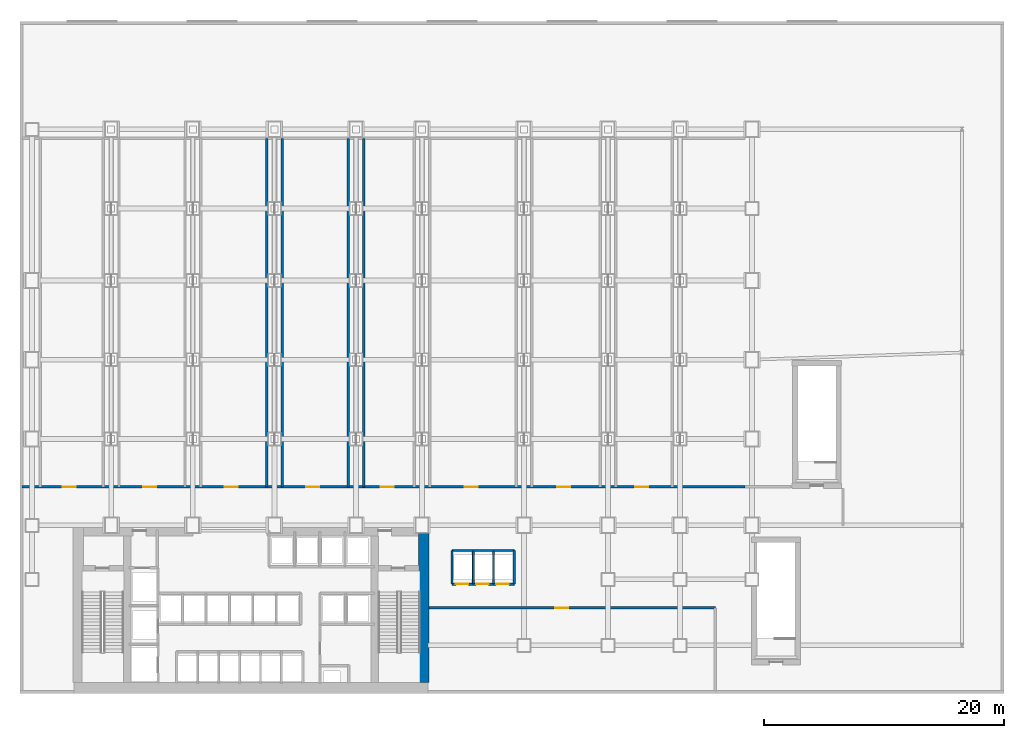
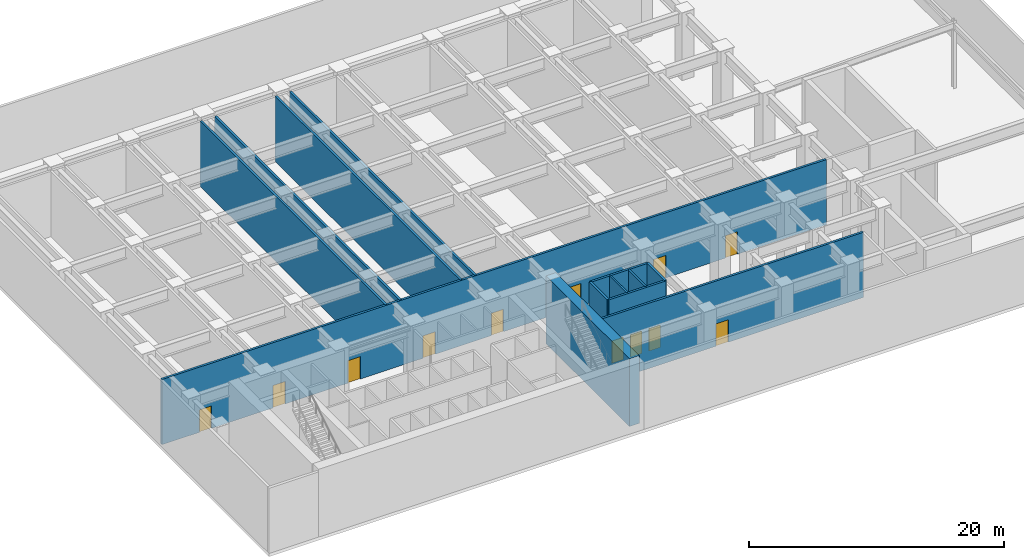
# One storey, part 10 of 15: 13 walls, 12 doors, 12 openings.
"""IFC4 building model written with IfcOpenShell, lengths in metres."""

from ifc_helpers import new_model, si_unit, derived_unit, direction, frame, frame_2d, origin, place, context, subcontext, project, spatial, rectangle, extrude, source, transform, mapped, material, layer, layer_set, type_object, element, fill, save


model = new_model("IFC4")

# Units and contexts
model_context = context("Model", 3, precision=1e-05, world=origin(), true_north=direction((0.0, 1.0)))
body_context = subcontext(model_context, "Body", "Model", "MODEL_VIEW")
ifc_project = project(units=[si_unit("LENGTHUNIT", "METRE"), si_unit("AREAUNIT", "SQUARE_METRE"), si_unit("VOLUMEUNIT", "CUBIC_METRE"), si_unit("PLANEANGLEUNIT", "RADIAN"), si_unit("MASSUNIT", "GRAM", prefix="KILO"), derived_unit("THERMALTRANSMITTANCEUNIT", [(si_unit("POWERUNIT", "WATT"), 1), (si_unit("LENGTHUNIT", "METRE"), -2), (si_unit("THERMODYNAMICTEMPERATUREUNIT", "KELVIN"), -1)])], contexts=[model_context])

# Site, building, storey
site_placement = place(None, origin())
site = spatial("IfcSite", under=ifc_project, at=site_placement, CompositionType="ELEMENT")
building_placement = place(site_placement, origin())
building = spatial("IfcBuilding", under=site, at=building_placement, Name="Skarnbrae Concourse Arena and Tower", CompositionType="ELEMENT")
storey_placement = place(building_placement, frame((0.0, 0.0, 26.0)))
storey = spatial("IfcBuildingStorey", under=building, at=storey_placement, Name="L05", CompositionType="ELEMENT", Elevation=26.0)

# Wall
ifc_material_1 = material(Name="Concrete 70 MPa (C70/85)", Category="concrete")
ifc_layer_1 = layer(ifc_material_1, 0.89990234375)
ifc_layer_set_1 = layer_set([ifc_layer_1], Name="Concrete 70 MPa (C70/85)")
wall_type_1 = type_object("IfcWallType", Name="WALL-CORE-900-C70", PredefinedType="SHEAR", material=ifc_layer_set_1)
shared_shape_1 = source(origin(), body_context, "Body", "SweptSolid", [
    extrude(rectangle(XDim=13.10009765625, YDim=0.89990234375, at=frame_2d((6.550048828125, 0.0))), origin(), (0.0, 0.0, 1.0), 6.5),
])
wall_1_placement = place(storey_placement, frame((33.64990234375, 0.89990234375, 0.0), z_axis=(0.0, 0.0, 1.0), x_axis=(0.0, 1.0, 0.0)))
element("IfcWall", 1, at=wall_1_placement, inside=storey, type_object=wall_type_1, Name="L05 Rear core shear wall CW-E", PredefinedType="SHEAR", context=body_context, shape_type="MappedRepresentation", body=[
    mapped(shared_shape_1, transform((0.0, 0.0, 0.0))),
])

# Wall, openings, doors
ifc_material_2 = material(Name="Gypsum board on cold-formed steel studs", Category="steel")
ifc_layer_2 = layer(ifc_material_2, 0.199951171875)
ifc_layer_set_2 = layer_set([ifc_layer_2], Name="Gypsum board on cold-formed steel studs")
wall_type_2 = type_object("IfcWallType", Name="WALL-PART-200-2HR", PredefinedType="PARTITIONING", material=ifc_layer_set_2)
shared_shape_2 = source(origin(), body_context, "Body", "SweptSolid", [
    extrude(rectangle(XDim=5.199951171875, YDim=0.199951171875, at=frame_2d((2.60009765625, 0.0))), origin(), (0.0, 0.0, 1.0), 6.25),
])
wall_2_placement = place(storey_placement, frame((36.0, 9.10009765625, 0.0), z_axis=(0.0, 0.0, 1.0), x_axis=(1.0, 0.0, 0.0)))
wall_2 = element("IfcWall", 2, at=wall_2_placement, inside=storey, type_object=wall_type_2, Name="L05 Interior partition wall W-L05-PLP-S", PredefinedType="PARTITIONING", context=body_context, shape_type="MappedRepresentation", body=[
    mapped(shared_shape_2, transform((0.0, 0.0, 0.0))),
])
opening_1_placement = place(wall_2_placement, frame((0.320068359375, 0.0, 0.0)))
opening_1 = element("IfcOpeningElement", 3, at=opening_1_placement, cuts=wall_2, Name="Opening LD-03", PredefinedType="OPENING", context=body_context, shape_type="SweptSolid", body=[
    extrude(rectangle(XDim=1.050048828125, YDim=2.14990234375, at=frame_2d((0.52490234375, 1.074951171875))), frame((0.0, 0.10986328125, 0.0), z_axis=(0.0, -1.0, 0.0), x_axis=(1.0, 0.0, 0.0)), (0.0, 0.0, 1.0), 0.219970703125),
])
opening_2_placement = place(wall_2_placement, frame((2.0, 0.0, 0.0)))
opening_2 = element("IfcOpeningElement", 4, at=opening_2_placement, cuts=wall_2, Name="Opening LD-03", PredefinedType="OPENING", context=body_context, shape_type="SweptSolid", body=[
    extrude(rectangle(XDim=1.050048828125, YDim=2.14990234375, at=frame_2d((0.52490234375, 1.074951171875))), frame((0.0, 0.10986328125, 0.0), z_axis=(0.0, -1.0, 0.0), x_axis=(1.0, 0.0, 0.0)), (0.0, 0.0, 1.0), 0.219970703125),
])
opening_3_placement = place(wall_2_placement, frame((3.679931640625, 0.0, 0.0)))
opening_3 = element("IfcOpeningElement", 5, at=opening_3_placement, cuts=wall_2, Name="Opening LD-03", PredefinedType="OPENING", context=body_context, shape_type="SweptSolid", body=[
    extrude(rectangle(XDim=1.050048828125, YDim=2.14990234375, at=frame_2d((0.52490234375, 1.074951171875))), frame((0.0, 0.10986328125, 0.0), z_axis=(0.0, -1.0, 0.0), x_axis=(1.0, 0.0, 0.0)), (0.0, 0.0, 1.0), 0.219970703125),
])
ifc_material_3 = material(Name="Bronze anodised aluminium 6063-T6", Category="aluminium")
door_type_1 = type_object("IfcDoorType", Name="DOOR-LIFT-SLIDE-1050", OperationType="SLIDING_TO_LEFT", PredefinedType="DOOR", material=ifc_material_3)
shared_shape_3 = source(origin(), body_context, "Body", "SweptSolid", [
    extrude(rectangle(XDim=1.050048828125, YDim=2.14990234375, at=frame_2d((0.52490234375, 1.074951171875))), frame((0.0, 0.02490234375, 0.0), z_axis=(0.0, -1.0, 0.0), x_axis=(1.0, 0.0, 0.0)), (0.0, 0.0, 1.0), 0.050048828125),
])
door_1_placement = place(opening_1_placement, frame((1.050048828125, 0.0, 0.0), z_axis=(0.0, 0.0, 1.0), x_axis=(-1.0, 0.0, 0.0)))
door_1 = element("IfcDoor", 6, at=door_1_placement, inside=storey, type_object=door_type_1, Name="D-0314 Transit Lift Landing Door PL-P1", OperationType="SLIDING_TO_LEFT", OverallHeight=2.14990234375, OverallWidth=1.050048828125, PredefinedType="DOOR", context=body_context, shape_type="MappedRepresentation", body=[
    mapped(shared_shape_3, transform((0.0, 0.0, 0.0))),
])
fill(opening_1, door_1)
door_2_placement = place(opening_2_placement, frame((1.050048828125, 0.0, 0.0), z_axis=(0.0, 0.0, 1.0), x_axis=(-1.0, 0.0, 0.0)))
door_2 = element("IfcDoor", 7, at=door_2_placement, inside=storey, type_object=door_type_1, Name="D-0315 Transit Lift Landing Door PL-P2", OperationType="SLIDING_TO_LEFT", OverallHeight=2.14990234375, OverallWidth=1.050048828125, PredefinedType="DOOR", context=body_context, shape_type="MappedRepresentation", body=[
    mapped(shared_shape_3, transform((0.0, 0.0, 0.0))),
])
fill(opening_2, door_2)
door_3_placement = place(opening_3_placement, frame((1.050048828125, 0.0, 0.0), z_axis=(0.0, 0.0, 1.0), x_axis=(-1.0, 0.0, 0.0)))
door_3 = element("IfcDoor", 8, at=door_3_placement, inside=storey, type_object=door_type_1, Name="D-0316 Transit Lift Landing Door PL-P3", OperationType="SLIDING_TO_LEFT", OverallHeight=2.14990234375, OverallWidth=1.050048828125, PredefinedType="DOOR", context=body_context, shape_type="MappedRepresentation", body=[
    mapped(shared_shape_3, transform((0.0, 0.0, 0.0))),
])
fill(opening_3, door_3)

# Walls
wall_3_placement = place(storey_placement, frame((36.0, 11.89990234375, 0.0), z_axis=(0.0, 0.0, 1.0), x_axis=(1.0, 0.0, 0.0)))
element("IfcWall", 9, at=wall_3_placement, inside=storey, type_object=wall_type_2, Name="L05 Interior partition wall W-L05-PLP-N", PredefinedType="PARTITIONING", context=body_context, shape_type="MappedRepresentation", body=[
    mapped(shared_shape_2, transform((0.0, 0.0, 0.0))),
])
shared_shape_4 = source(origin(), body_context, "Body", "SweptSolid", [
    extrude(rectangle(XDim=2.7998046875, YDim=0.199951171875, at=frame_2d((1.39990234375, 0.0))), origin(), (0.0, 0.0, 1.0), 6.25),
])
for number, where, z_axis, x_axis, name in (
    (10, (36.0, 9.10009765625, 0.0), (0.0, 0.0, 1.0), (0.0, 1.0, 0.0), "L05 Interior partition wall W-L05-PLP-W"),
    (11, (41.199951171875, 9.10009765625, 0.0), (0.0, 0.0, 1.0), (0.0, 1.0, 0.0), "L05 Interior partition wall W-L05-PLP-E"),
):
    element("IfcWall", number, at=place(storey_placement, frame(where, z_axis=z_axis, x_axis=x_axis)), inside=storey, type_object=wall_type_2, Name=name, PredefinedType="PARTITIONING", context=body_context, shape_type="MappedRepresentation", body=[
        mapped(shared_shape_4, transform((0.0, 0.0, 0.0))),
    ])
ifc_layer_3 = layer(ifc_material_2, 0.14990234375)
ifc_layer_set_3 = layer_set([ifc_layer_3], Name="Gypsum board on cold-formed steel studs")
wall_type_3 = type_object("IfcWallType", Name="WALL-PART-150", PredefinedType="PARTITIONING", material=ifc_layer_set_3)
shared_shape_5 = source(origin(), body_context, "Body", "SweptSolid", [
    extrude(rectangle(XDim=2.7001953125, YDim=0.14990234375, at=frame_2d((1.35009765625, 0.0))), origin(), (0.0, 0.0, 1.0), 6.25),
])
for number, where, z_axis, x_axis, name in (
    (12, (37.780029296875, 9.14990234375, 0.0), (0.0, 0.0, 1.0), (0.0, 1.0, 0.0), "L05 Interior partition wall W-L05-PLP-D1"),
    (13, (39.4599609375, 9.14990234375, 0.0), (0.0, 0.0, 1.0), (0.0, 1.0, 0.0), "L05 Interior partition wall W-L05-PLP-D2"),
):
    element("IfcWall", number, at=place(storey_placement, frame(where, z_axis=z_axis, x_axis=x_axis)), inside=storey, type_object=wall_type_3, Name=name, PredefinedType="PARTITIONING", context=body_context, shape_type="MappedRepresentation", body=[
        mapped(shared_shape_5, transform((0.0, 0.0, 0.0))),
    ])

# Wall, opening, door
shared_shape_6 = source(origin(), body_context, "Body", "SweptSolid", [
    extrude(rectangle(XDim=23.849853515625, YDim=0.199951171875, at=frame_2d((11.9248046875, 0.0))), origin(), (0.0, 0.0, 1.0), 6.25),
])
wall_4_placement = place(storey_placement, frame((34.10009765625, 7.1201171875, 0.0), z_axis=(0.0, 0.0, 1.0), x_axis=(1.0, 0.0, 0.0)))
wall_4 = element("IfcWall", 14, at=wall_4_placement, inside=storey, type_object=wall_type_2, Name="L05 Interior partition wall W-L05-SE-N", PredefinedType="PARTITIONING", context=body_context, shape_type="MappedRepresentation", body=[
    mapped(shared_shape_6, transform((0.0, 0.0, 0.0))),
])
opening_4_placement = place(wall_4_placement, frame((10.5, 0.0, 0.0)))
opening_4 = element("IfcOpeningElement", 15, at=opening_4_placement, cuts=wall_4, Name="Opening DT-03", PredefinedType="OPENING", context=body_context, shape_type="SweptSolid", body=[
    extrude(rectangle(XDim=1.10009765625, YDim=2.14990234375, at=frame_2d((0.550048828125, 1.074951171875))), frame((0.0, 0.10986328125, 0.0), z_axis=(0.0, -1.0, 0.0), x_axis=(1.0, 0.0, 0.0)), (0.0, 0.0, 1.0), 0.219970703125),
])
ifc_material_4 = material(Name="Steel CSA G40.21 350W", Category="steel")
door_type_2 = type_object("IfcDoorType", Name="DOOR-FIRE-1100-90M", OperationType="NOTDEFINED", PredefinedType="DOOR", material=ifc_material_4)
shared_shape_7 = source(origin(), body_context, "Body", "SweptSolid", [
    extrude(rectangle(XDim=1.10009765625, YDim=2.14990234375, at=frame_2d((0.550048828125, 1.074951171875))), frame((0.0, 0.02490234375, 0.0), z_axis=(0.0, -1.0, 0.0), x_axis=(1.0, 0.0, 0.0)), (0.0, 0.0, 1.0), 0.050048828125),
])
door_4_placement = place(opening_4_placement, frame((1.10009765625, 0.0, 0.0), z_axis=(0.0, 0.0, 1.0), x_axis=(-1.0, 0.0, 0.0)))
door_4 = element("IfcDoor", 16, at=door_4_placement, inside=storey, type_object=door_type_2, Name="D-0317 South Switchgear Plant Door", OperationType="SINGLE_SWING_LEFT", OverallHeight=2.14990234375, OverallWidth=1.10009765625, PredefinedType="DOOR", context=body_context, shape_type="MappedRepresentation", body=[
    mapped(shared_shape_7, transform((0.0, 0.0, 0.0))),
])
fill(opening_4, door_4)

# Wall, openings, doors
shared_shape_8 = source(origin(), body_context, "Body", "SweptSolid", [
    extrude(rectangle(XDim=60.25, YDim=0.199951171875, at=frame_2d((30.125, 0.0))), origin(), (0.0, 0.0, 1.0), 6.25),
])
wall_5_placement = place(storey_placement, frame((0.14990234375, 17.199951171875, 0.0), z_axis=(0.0, 0.0, 1.0), x_axis=(1.0, 0.0, 0.0)))
wall_5 = element("IfcWall", 17, at=wall_5_placement, inside=storey, type_object=wall_type_2, Name="L05 Interior partition wall W-L05-CS", PredefinedType="PARTITIONING", context=body_context, shape_type="MappedRepresentation", body=[
    mapped(shared_shape_8, transform((0.0, 0.0, 0.0))),
])
opening_5_placement = place(wall_5_placement, frame((3.39990234375, 0.0, 0.0)))
opening_5 = element("IfcOpeningElement", 18, at=opening_5_placement, cuts=wall_5, Name="Opening DT-03", PredefinedType="OPENING", context=body_context, shape_type="SweptSolid", body=[
    extrude(rectangle(XDim=1.10009765625, YDim=2.14990234375, at=frame_2d((0.550048828125, 1.074951171875))), frame((0.0, 0.10986328125, 0.0), z_axis=(0.0, -1.0, 0.0), x_axis=(1.0, 0.0, 0.0)), (0.0, 0.0, 1.0), 0.219970703125),
])
opening_6_placement = place(wall_5_placement, frame((10.10009765625, 0.0, 0.0)))
opening_6 = element("IfcOpeningElement", 19, at=opening_6_placement, cuts=wall_5, Name="Opening DT-03", PredefinedType="OPENING", context=body_context, shape_type="SweptSolid", body=[
    extrude(rectangle(XDim=1.10009765625, YDim=2.14990234375, at=frame_2d((0.550048828125, 1.074951171875))), frame((0.0, 0.10986328125, 0.0), z_axis=(0.0, -1.0, 0.0), x_axis=(1.0, 0.0, 0.0)), (0.0, 0.0, 1.0), 0.219970703125),
])
opening_7_placement = place(wall_5_placement, frame((16.89990234375, 0.0, 0.0)))
opening_7 = element("IfcOpeningElement", 20, at=opening_7_placement, cuts=wall_5, Name="Opening DT-03", PredefinedType="OPENING", context=body_context, shape_type="SweptSolid", body=[
    extrude(rectangle(XDim=1.10009765625, YDim=2.14990234375, at=frame_2d((0.550048828125, 1.074951171875))), frame((0.0, 0.10986328125, 0.0), z_axis=(0.0, -1.0, 0.0), x_axis=(1.0, 0.0, 0.0)), (0.0, 0.0, 1.0), 0.219970703125),
])
opening_8_placement = place(wall_5_placement, frame((23.699951171875, 0.0, 0.0)))
opening_8 = element("IfcOpeningElement", 21, at=opening_8_placement, cuts=wall_5, Name="Opening DT-03", PredefinedType="OPENING", context=body_context, shape_type="SweptSolid", body=[
    extrude(rectangle(XDim=1.10009765625, YDim=2.14990234375, at=frame_2d((0.550048828125, 1.074951171875))), frame((0.0, 0.10986328125, 0.0), z_axis=(0.0, -1.0, 0.0), x_axis=(1.0, 0.0, 0.0)), (0.0, 0.0, 1.0), 0.219970703125),
])
opening_9_placement = place(wall_5_placement, frame((29.89990234375, 0.0, 0.0)))
opening_9 = element("IfcOpeningElement", 22, at=opening_9_placement, cuts=wall_5, Name="Opening DT-03", PredefinedType="OPENING", context=body_context, shape_type="SweptSolid", body=[
    extrude(rectangle(XDim=1.10009765625, YDim=2.14990234375, at=frame_2d((0.550048828125, 1.074951171875))), frame((0.0, 0.10986328125, 0.0), z_axis=(0.0, -1.0, 0.0), x_axis=(1.0, 0.0, 0.0)), (0.0, 0.0, 1.0), 0.219970703125),
])
opening_10_placement = place(wall_5_placement, frame((36.89990234375, 0.0, 0.0)))
opening_10 = element("IfcOpeningElement", 23, at=opening_10_placement, cuts=wall_5, Name="Opening DT-03", PredefinedType="OPENING", context=body_context, shape_type="SweptSolid", body=[
    extrude(rectangle(XDim=1.10009765625, YDim=2.14990234375, at=frame_2d((0.550048828125, 1.074951171875))), frame((0.0, 0.10986328125, 0.0), z_axis=(0.0, -1.0, 0.0), x_axis=(1.0, 0.0, 0.0)), (0.0, 0.0, 1.0), 0.219970703125),
])
opening_11_placement = place(wall_5_placement, frame((44.60009765625, 0.0, 0.0)))
opening_11 = element("IfcOpeningElement", 24, at=opening_11_placement, cuts=wall_5, Name="Opening DT-03", PredefinedType="OPENING", context=body_context, shape_type="SweptSolid", body=[
    extrude(rectangle(XDim=1.10009765625, YDim=2.14990234375, at=frame_2d((0.550048828125, 1.074951171875))), frame((0.0, 0.10986328125, 0.0), z_axis=(0.0, -1.0, 0.0), x_axis=(1.0, 0.0, 0.0)), (0.0, 0.0, 1.0), 0.219970703125),
])
opening_12_placement = place(wall_5_placement, frame((51.10009765625, 0.0, 0.0)))
opening_12 = element("IfcOpeningElement", 25, at=opening_12_placement, cuts=wall_5, Name="Opening DT-03", PredefinedType="OPENING", context=body_context, shape_type="SweptSolid", body=[
    extrude(rectangle(XDim=1.10009765625, YDim=2.14990234375, at=frame_2d((0.550048828125, 1.074951171875))), frame((0.0, 0.10986328125, 0.0), z_axis=(0.0, -1.0, 0.0), x_axis=(1.0, 0.0, 0.0)), (0.0, 0.0, 1.0), 0.219970703125),
])
door_5_placement = place(opening_5_placement, origin())
door_5 = element("IfcDoor", 26, at=door_5_placement, inside=storey, type_object=door_type_2, Name="D-0318 Transfer Truss Mechanical Plant West Door", OperationType="SINGLE_SWING_LEFT", OverallHeight=2.14990234375, OverallWidth=1.10009765625, PredefinedType="DOOR", context=body_context, shape_type="MappedRepresentation", body=[
    mapped(shared_shape_7, transform((0.0, 0.0, 0.0))),
])
fill(opening_5, door_5)
door_6_placement = place(opening_6_placement, origin())
door_6 = element("IfcDoor", 27, at=door_6_placement, inside=storey, type_object=door_type_2, Name="D-0319 Transfer Chiller Mechanical Plant Room Door", OperationType="SINGLE_SWING_RIGHT", OverallHeight=2.14990234375, OverallWidth=1.10009765625, PredefinedType="DOOR", context=body_context, shape_type="MappedRepresentation", body=[
    mapped(shared_shape_7, transform((0.0, 0.0, 0.0))),
])
fill(opening_6, door_6)
door_7_placement = place(opening_7_placement, origin())
door_7 = element("IfcDoor", 28, at=door_7_placement, inside=storey, type_object=door_type_2, Name="D-0320 Transfer Supply AHU Mechanical Fan Plant Door", OperationType="SINGLE_SWING_LEFT", OverallHeight=2.14990234375, OverallWidth=1.10009765625, PredefinedType="DOOR", context=body_context, shape_type="MappedRepresentation", body=[
    mapped(shared_shape_7, transform((0.0, 0.0, 0.0))),
])
fill(opening_7, door_7)
door_8_placement = place(opening_8_placement, origin())
door_8 = element("IfcDoor", 29, at=door_8_placement, inside=storey, type_object=door_type_2, Name="D-0321 Transfer Smoke Exhaust Mechanical Plant Door", OperationType="SINGLE_SWING_RIGHT", OverallHeight=2.14990234375, OverallWidth=1.10009765625, PredefinedType="DOOR", context=body_context, shape_type="MappedRepresentation", body=[
    mapped(shared_shape_7, transform((0.0, 0.0, 0.0))),
])
fill(opening_8, door_8)
door_9_placement = place(opening_9_placement, origin())
door_9 = element("IfcDoor", 30, at=door_9_placement, inside=storey, type_object=door_type_2, Name="D-0322 Transfer Heat Recovery Mechanical Plant Door", OperationType="SINGLE_SWING_LEFT", OverallHeight=2.14990234375, OverallWidth=1.10009765625, PredefinedType="DOOR", context=body_context, shape_type="MappedRepresentation", body=[
    mapped(shared_shape_7, transform((0.0, 0.0, 0.0))),
])
fill(opening_9, door_9)
door_10_placement = place(opening_10_placement, origin())
door_10 = element("IfcDoor", 31, at=door_10_placement, inside=storey, type_object=door_type_2, Name="D-0323 Podium Booster Pump Mechanical Plant Door", OperationType="SINGLE_SWING_RIGHT", OverallHeight=2.14990234375, OverallWidth=1.10009765625, PredefinedType="DOOR", context=body_context, shape_type="MappedRepresentation", body=[
    mapped(shared_shape_7, transform((0.0, 0.0, 0.0))),
])
fill(opening_10, door_10)
door_11_placement = place(opening_11_placement, origin())
door_11 = element("IfcDoor", 32, at=door_11_placement, inside=storey, type_object=door_type_2, Name="D-0324 Primary Electrical Switchroom and Transformer Plant Door", OperationType="SINGLE_SWING_LEFT", OverallHeight=2.14990234375, OverallWidth=1.10009765625, PredefinedType="DOOR", context=body_context, shape_type="MappedRepresentation", body=[
    mapped(shared_shape_7, transform((0.0, 0.0, 0.0))),
])
fill(opening_11, door_11)
door_12_placement = place(opening_12_placement, origin())
door_12 = element("IfcDoor", 33, at=door_12_placement, inside=storey, type_object=door_type_2, Name="D-0325 Emergency Generator Mechanical Plant Door", OperationType="SINGLE_SWING_RIGHT", OverallHeight=2.14990234375, OverallWidth=1.10009765625, PredefinedType="DOOR", context=body_context, shape_type="MappedRepresentation", body=[
    mapped(shared_shape_7, transform((0.0, 0.0, 0.0))),
])
fill(opening_12, door_12)

# Walls
shared_shape_9 = source(origin(), body_context, "Body", "SweptSolid", [
    extrude(rectangle(XDim=29.050048828125, YDim=0.199951171875, at=frame_2d((14.52490234375, 0.0))), origin(), (0.0, 0.0, 1.0), 6.25),
])
for number, where, z_axis, x_axis, name in (
    (34, (20.550048828125, 17.199951171875, 0.0), (0.0, 0.0, 1.0), (0.0, 1.0, 0.0), "L05 Interior partition wall W-L05-TW-206"),
    (35, (21.85009765625, 17.199951171875, 0.0), (0.0, 0.0, 1.0), (0.0, 1.0, 0.0), "L05 Interior partition wall W-L05-TW-218"),
    (36, (27.35009765625, 17.199951171875, 0.0), (0.0, 0.0, 1.0), (0.0, 1.0, 0.0), "L05 Interior partition wall W-L05-TW-274"),
    (37, (28.64990234375, 17.199951171875, 0.0), (0.0, 0.0, 1.0), (0.0, 1.0, 0.0), "L05 Interior partition wall W-L05-TW-286"),
):
    element("IfcWall", number, at=place(storey_placement, frame(where, z_axis=z_axis, x_axis=x_axis)), inside=storey, type_object=wall_type_2, Name=name, PredefinedType="PARTITIONING", context=body_context, shape_type="MappedRepresentation", body=[
        mapped(shared_shape_9, transform((0.0, 0.0, 0.0))),
    ])

save(model, "model.ifc")
